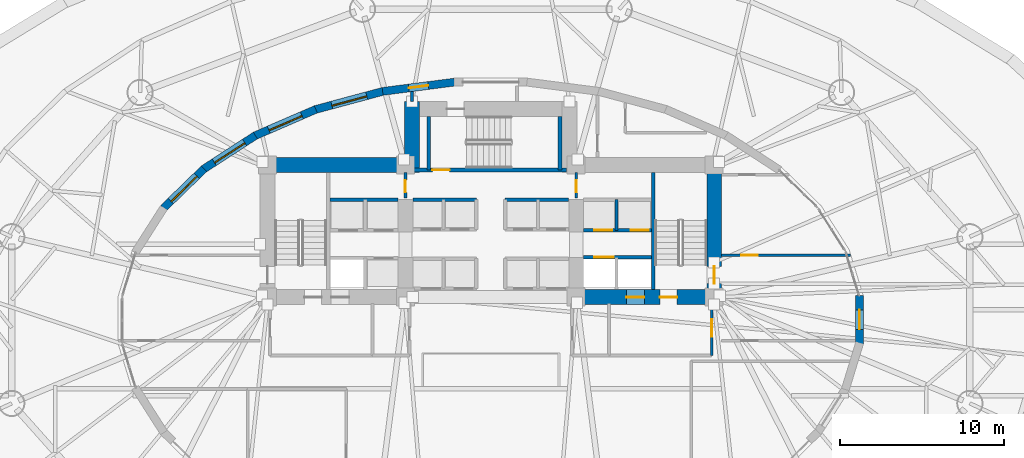
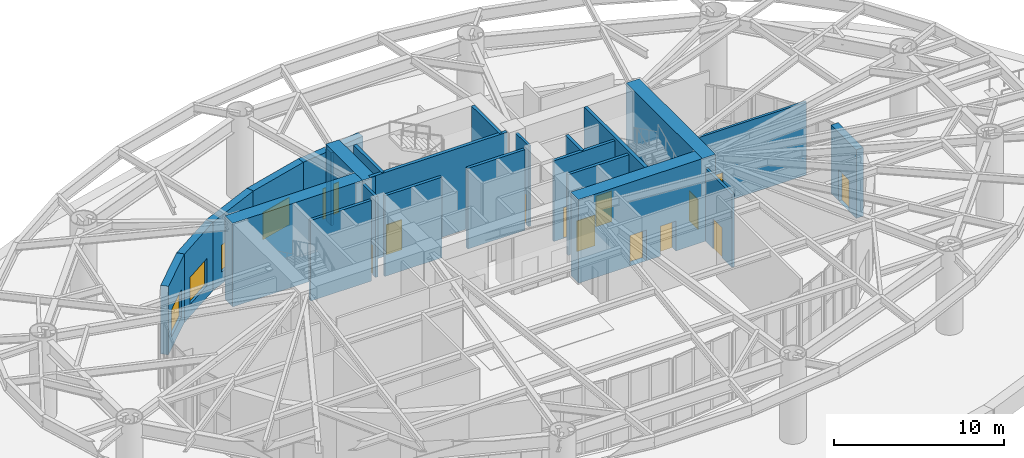
# One storey, part 15 of 21: 25 walls, 13 doors, 4 windows, 17 openings.
"""IFC4 building model written with IfcOpenShell, lengths in metres."""

from ifc_helpers import new_model, si_unit, direction, frame, frame_2d, origin, place, context, subcontext, project, spatial, rectangle, extrude, material, layer, layer_set, type_object, element, fill, save


model = new_model("IFC4")

# Units and contexts
model_context = context("Model", 3, precision=1e-05, world=origin(), true_north=direction((0.0, 1.0)))
body_context = subcontext(model_context, "Body", "Model", "MODEL_VIEW")
ifc_project = project(units=[si_unit("LENGTHUNIT", "METRE"), si_unit("AREAUNIT", "SQUARE_METRE"), si_unit("VOLUMEUNIT", "CUBIC_METRE"), si_unit("PLANEANGLEUNIT", "RADIAN"), si_unit("MASSUNIT", "GRAM", prefix="KILO")], contexts=[model_context])

# Site, building, storey
site_placement = place(None, origin())
site = spatial("IfcSite", under=ifc_project, at=site_placement, CompositionType="ELEMENT")
building_placement = place(site_placement, origin())
building = spatial("IfcBuilding", under=site, at=building_placement, Name="Keldmark Tower", CompositionType="ELEMENT")
storey_placement = place(building_placement, origin())
storey = spatial("IfcBuildingStorey", under=building, at=storey_placement, Name="L00", CompositionType="ELEMENT", Elevation=0.0)

# Wall
ifc_material_1 = material(Name="Concrete C70/85", Category="concrete")
ifc_layer_1 = layer(ifc_material_1, 0.89990234375)
ifc_layer_set_1 = layer_set([ifc_layer_1], Name="Concrete C70/85")
wall_type_1 = type_object("IfcWallType", Name="Lower Core Shear Wall 900 mm", PredefinedType="SHEAR", material=ifc_layer_set_1)
wall_1_placement = place(storey_placement, frame((-14.050048828125, 9.449951171875, 0.0), z_axis=(0.0, 0.0, 1.0), x_axis=(1.0, 0.0, 0.0)))
element("IfcWall", 1, at=wall_1_placement, inside=storey, type_object=wall_type_1, Name="L00 West Core North Shear Wall", PredefinedType="SHEAR", context=body_context, shape_type="SweptSolid", body=[
    extrude(rectangle(XDim=9.699951171875, YDim=0.89990234375, at=frame_2d((4.85009765625, 0.0))), origin(), (0.0, 0.0, 1.0), 6.0),
])

# Wall, opening, door
wall_2_placement = place(storey_placement, frame((13.60009765625, 0.949951171875, 0.0), z_axis=(0.0, 0.0, 1.0), x_axis=(0.0, 1.0, 0.0)))
wall_2 = element("IfcWall", 2, at=wall_2_placement, inside=storey, type_object=wall_type_1, Name="L00 East Core Outer Shear Wall", PredefinedType="SHEAR", context=body_context, shape_type="SweptSolid", body=[
    extrude(rectangle(XDim=8.949951171875, YDim=0.89990234375, at=frame_2d((4.47509765625, 0.0))), origin(), (0.0, 0.0, 1.0), 6.0),
])
opening_1_placement = place(wall_2_placement, frame((1.27001953125, 0.0, 0.0)))
opening_1 = element("IfcOpeningElement", 3, at=opening_1_placement, cuts=wall_2, Name="Opening D-ST105", PredefinedType="OPENING", context=body_context, shape_type="SweptSolid", body=[
    extrude(rectangle(XDim=1.050048828125, YDim=2.14990234375, at=frame_2d((0.52490234375, 1.074951171875))), frame((0.0, 0.4599609375, 0.0), z_axis=(0.0, -1.0, 0.0), x_axis=(1.0, 0.0, 0.0)), (0.0, 0.0, 1.0), 0.919921875),
])
ifc_material_2 = material(Name="Hollow Metal Fire-Rated Door Assembly", Category="metal")
door_type_1 = type_object("IfcDoorType", Name="Stair Fire Door 1050x2150", OperationType="NOTDEFINED", PredefinedType="DOOR", material=ifc_material_2)
door_1_placement = place(opening_1_placement, origin())
door_1 = element("IfcDoor", 4, at=door_1_placement, inside=storey, type_object=door_type_1, Name="L00 Stair Fire Door 1050x2150 D-ST2-EXE-L00", OperationType="SINGLE_SWING_RIGHT", OverallHeight=2.14990234375, OverallWidth=1.050048828125, PredefinedType="DOOR", context=body_context, shape_type="SweptSolid", body=[
    extrude(rectangle(XDim=1.050048828125, YDim=2.14990234375, at=frame_2d((0.52490234375, 1.074951171875))), frame((0.0, 0.02490234375, 0.0), z_axis=(0.0, -1.0, 0.0), x_axis=(1.0, 0.0, 0.0)), (0.0, 0.0, 1.0), 0.050048828125),
])
fill(opening_1, door_1)

# Wall, openings, doors
wall_3_placement = place(storey_placement, frame((14.050048828125, 1.39990234375, 0.0), z_axis=(0.0, 0.0, 1.0), x_axis=(-1.0, 0.0, 0.0)))
wall_3 = element("IfcWall", 5, at=wall_3_placement, inside=storey, type_object=wall_type_1, Name="L00 East Core South Shear Wall", PredefinedType="SHEAR", context=body_context, shape_type="SweptSolid", body=[
    extrude(rectangle(XDim=9.300048828125, YDim=0.89990234375, at=frame_2d((4.64990234375, 0.0))), origin(), (0.0, 0.0, 1.0), 6.0),
])
opening_2_placement = place(wall_3_placement, frame((2.699951171875, 0.0, 0.0)))
opening_2 = element("IfcOpeningElement", 6, at=opening_2_placement, cuts=wall_3, Name="Opening D-ST105", PredefinedType="OPENING", context=body_context, shape_type="SweptSolid", body=[
    extrude(rectangle(XDim=1.050048828125, YDim=2.14990234375, at=frame_2d((0.52490234375, 1.074951171875))), frame((0.0, 0.4599609375, 0.0), z_axis=(0.0, -1.0, 0.0), x_axis=(1.0, 0.0, 0.0)), (0.0, 0.0, 1.0), 0.919921875),
])
opening_3_placement = place(wall_3_placement, frame((4.699951171875, 0.0, 0.0)))
opening_3 = element("IfcOpeningElement", 7, at=opening_3_placement, cuts=wall_3, Name="Opening LD-110", PredefinedType="OPENING", context=body_context, shape_type="SweptSolid", body=[
    extrude(rectangle(XDim=1.10009765625, YDim=2.199951171875, at=frame_2d((0.550048828125, 1.10009765625))), frame((0.0, 0.4599609375, 0.0), z_axis=(0.0, -1.0, 0.0), x_axis=(1.0, 0.0, 0.0)), (0.0, 0.0, 1.0), 0.919921875),
])
ifc_material_3 = material(Name="Brushed Bronze Hoistway Sliding Leaf", Category="metal")
door_type_2 = type_object("IfcDoorType", Name="Lift Landing Sliding Door 1100x2200", OperationType="SLIDING_TO_LEFT", PredefinedType="DOOR", material=ifc_material_3)
door_2_placement = place(opening_3_placement, origin())
door_2 = element("IfcDoor", 8, at=door_2_placement, inside=storey, type_object=door_type_2, Name="L00 Lift Landing Sliding Door 1100x2200 LD-EL-FS2-L00", OperationType="SLIDING_TO_LEFT", OverallHeight=2.199951171875, OverallWidth=1.10009765625, PredefinedType="DOOR", context=body_context, shape_type="SweptSolid", body=[
    extrude(rectangle(XDim=1.10009765625, YDim=2.199951171875, at=frame_2d((0.550048828125, 1.10009765625))), frame((0.0, 0.02490234375, 0.0), z_axis=(0.0, -1.0, 0.0), x_axis=(1.0, 0.0, 0.0)), (0.0, 0.0, 1.0), 0.050048828125),
])
fill(opening_3, door_2)
door_3_placement = place(opening_2_placement, origin())
door_3 = element("IfcDoor", 9, at=door_3_placement, inside=storey, type_object=door_type_1, Name="L00 Stair Fire Door 1050x2150 D-ST2-L00", OperationType="SINGLE_SWING_LEFT", OverallHeight=2.14990234375, OverallWidth=1.050048828125, PredefinedType="DOOR", context=body_context, shape_type="SweptSolid", body=[
    extrude(rectangle(XDim=1.050048828125, YDim=2.14990234375, at=frame_2d((0.52490234375, 1.074951171875))), frame((0.0, 0.02490234375, 0.0), z_axis=(0.0, -1.0, 0.0), x_axis=(1.0, 0.0, 0.0)), (0.0, 0.0, 1.0), 0.050048828125),
])
fill(opening_2, door_3)

# Wall
wall_4_placement = place(storey_placement, frame((-4.800048828125, 9.0, 0.0), z_axis=(0.0, 0.0, 1.0), x_axis=(0.0, 1.0, 0.0)))
element("IfcWall", 10, at=wall_4_placement, inside=storey, type_object=wall_type_1, Name="L00 North Core West Shear Wall", PredefinedType="SHEAR", context=body_context, shape_type="SweptSolid", body=[
    extrude(rectangle(XDim=4.300048828125, YDim=0.89990234375, at=frame_2d((2.14990234375, 0.0))), origin(), (0.0, 0.0, 1.0), 6.0),
])

# Wall, opening, door
ifc_material_4 = material(Name="Ironspot Manganese Brick and Kasota Buff Limestone Cavity Assembly", Category="masonry")
ifc_layer_2 = layer(ifc_material_4, 0.47998046875)
ifc_layer_set_2 = layer_set([ifc_layer_2], Name="Ironspot Manganese Brick and Kasota Buff Limestone Cavity Assembly")
wall_type_2 = type_object("IfcWallType", Name="Podium Brick and Limestone Cavity Wall 480 mm", PredefinedType="STANDARD", material=ifc_layer_set_2)
wall_5_placement = place(storey_placement, frame((-6.587890625, 13.9248046875, 0.0), z_axis=(0.0, 0.0, 1.0), x_axis=(0.99177017627, 0.128030923847, 0.0)))
wall_5 = element("IfcWall", 11, at=wall_5_placement, inside=storey, type_object=wall_type_2, Name="L00 Wintergarden Brick Pier Wall 09", PredefinedType="STANDARD", context=body_context, shape_type="SweptSolid", body=[
    extrude(rectangle(XDim=4.420166015625, YDim=0.47998046875, at=frame_2d((2.2099609375, 0.0))), origin(), (0.0, 0.0, 1.0), 4.9130859375),
])
opening_4_placement = place(wall_5_placement, frame((1.610107421875, 0.0, 0.0)))
opening_4 = element("IfcOpeningElement", 12, at=opening_4_placement, cuts=wall_5, Name="Opening ED-03", PredefinedType="OPENING", context=body_context, shape_type="SweptSolid", body=[
    extrude(rectangle(XDim=1.199951171875, YDim=2.199951171875, at=frame_2d((0.60009765625, 1.10009765625))), frame((0.0, 0.25, 0.0), z_axis=(0.0, -1.0, 0.0), x_axis=(1.0, 0.0, 0.0)), (0.0, 0.0, 1.0), 0.5),
])
ifc_material_5 = material(Name="Thermally Broken Painted Aluminum and Laminated Safety Glass", Category="aluminium")
door_type_3 = type_object("IfcDoorType", Name="Ground Exit Discharge Door 1200x2200", OperationType="SINGLE_SWING_RIGHT", PredefinedType="DOOR", material=ifc_material_5)
door_4_placement = place(opening_4_placement, origin())
door_4 = element("IfcDoor", 13, at=door_4_placement, inside=storey, type_object=door_type_3, Name="L00 Central Stair ST3 North Exit Discharge Door", OperationType="SINGLE_SWING_RIGHT", OverallHeight=2.199951171875, OverallWidth=1.199951171875, PredefinedType="DOOR", context=body_context, shape_type="SweptSolid", body=[
    extrude(rectangle(XDim=1.199951171875, YDim=2.199951171875, at=frame_2d((0.60009765625, 1.10009765625))), frame((0.0, 0.02490234375, 0.0), z_axis=(0.0, -1.0, 0.0), x_axis=(1.0, 0.0, 0.0)), (0.0, 0.0, 1.0), 0.050048828125),
])
fill(opening_4, door_4)

# Wall, opening, window
wall_6_placement = place(storey_placement, frame((-10.685546875, 12.820556640625, 0.0), z_axis=(0.0, 0.0, 1.0), x_axis=(0.965698398437, 0.259666330619, 0.0)))
wall_6 = element("IfcWall", 14, at=wall_6_placement, inside=storey, type_object=wall_type_2, Name="L00 Wintergarden Brick Pier Wall 10", PredefinedType="STANDARD", context=body_context, shape_type="SweptSolid", body=[
    extrude(rectangle(XDim=4.276123046875, YDim=0.47998046875, at=frame_2d((2.13818359375, 0.0))), origin(), (0.0, 0.0, 1.0), 4.9130859375),
])
opening_5_placement = place(wall_6_placement, frame((1.0380859375, 0.0, 0.85009765625)))
opening_5 = element("IfcOpeningElement", 15, at=opening_5_placement, cuts=wall_6, Name="Opening W-01", PredefinedType="OPENING", context=body_context, shape_type="SweptSolid", body=[
    extrude(rectangle(XDim=2.199951171875, YDim=1.949951171875, at=frame_2d((1.10009765625, 0.97509765625))), frame((0.0, 0.25, 0.0), z_axis=(0.0, -1.0, 0.0), x_axis=(1.0, 0.0, 0.0)), (0.0, 0.0, 1.0), 0.5),
])
ifc_material_6 = material(Name="Thermally Broken Anodized Aluminum and Triple Low-E Argon Glazing", Category="aluminium")
window_type = type_object("IfcWindowType", Name="Podium Arched-Head Punched Window 2200x1950", PartitioningType="SINGLE_PANEL", PredefinedType="WINDOW", material=ifc_material_6)
window_1_placement = place(opening_5_placement, origin())
window_1 = element("IfcWindow", 16, at=window_1_placement, inside=storey, type_object=window_type, Name="L00 Wintergarden Punched Window 10", OverallHeight=1.949951171875, OverallWidth=2.199951171875, PartitioningType="SINGLE_PANEL", PredefinedType="WINDOW", context=body_context, shape_type="SweptSolid", body=[
    extrude(rectangle(XDim=2.199951171875, YDim=1.949951171875, at=frame_2d((1.10009765625, 0.97509765625))), frame((0.0, -0.010009765625, 0.0), z_axis=(0.0, -1.0, 0.0), x_axis=(1.0, 0.0, 0.0)), (0.0, 0.0, 1.0), 0.06005859375),
])
fill(opening_5, window_1)

wall_7_placement = place(storey_placement, frame((-14.36865234375, 11.220458984375, 0.0), z_axis=(0.0, 0.0, 1.0), x_axis=(0.917428047281, 0.3979017191, 0.0)))
wall_7 = element("IfcWall", 17, at=wall_7_placement, inside=storey, type_object=wall_type_2, Name="L00 Wintergarden Brick Pier Wall 11", PredefinedType="STANDARD", context=body_context, shape_type="SweptSolid", body=[
    extrude(rectangle(XDim=4.05078125, YDim=0.47998046875, at=frame_2d((2.025390625, 0.0))), origin(), (0.0, 0.0, 1.0), 4.9130859375),
])
opening_6_placement = place(wall_7_placement, frame((0.92529296875, 0.0, 0.85009765625)))
opening_6 = element("IfcOpeningElement", 18, at=opening_6_placement, cuts=wall_7, Name="Opening W-01", PredefinedType="OPENING", context=body_context, shape_type="SweptSolid", body=[
    extrude(rectangle(XDim=2.199951171875, YDim=1.949951171875, at=frame_2d((1.10009765625, 0.97509765625))), frame((0.0, 0.25, 0.0), z_axis=(0.0, -1.0, 0.0), x_axis=(1.0, 0.0, 0.0)), (0.0, 0.0, 1.0), 0.5),
])
window_2_placement = place(opening_6_placement, origin())
window_2 = element("IfcWindow", 19, at=window_2_placement, inside=storey, type_object=window_type, Name="L00 Wintergarden Punched Window 11", OverallHeight=1.949951171875, OverallWidth=2.199951171875, PartitioningType="SINGLE_PANEL", PredefinedType="WINDOW", context=body_context, shape_type="SweptSolid", body=[
    extrude(rectangle(XDim=2.199951171875, YDim=1.949951171875, at=frame_2d((1.10009765625, 0.97509765625))), frame((0.0, -0.010009765625, 0.0), z_axis=(0.0, -1.0, 0.0), x_axis=(1.0, 0.0, 0.0)), (0.0, 0.0, 1.0), 0.06005859375),
])
fill(opening_6, window_2)

wall_8_placement = place(storey_placement, frame((-17.493896484375, 9.187744140625, 0.0), z_axis=(0.0, 0.0, 1.0), x_axis=(0.838776546814, 0.544475807098, 0.0)))
wall_8 = element("IfcWall", 20, at=wall_8_placement, inside=storey, type_object=wall_type_2, Name="L00 Wintergarden Brick Pier Wall 12", PredefinedType="STANDARD", context=body_context, shape_type="SweptSolid", body=[
    extrude(rectangle(XDim=3.767822265625, YDim=0.47998046875, at=frame_2d((1.8837890625, 0.0))), origin(), (0.0, 0.0, 1.0), 4.9130859375),
])
opening_7_placement = place(wall_8_placement, frame((0.783935546875, 0.0, 0.85009765625)))
opening_7 = element("IfcOpeningElement", 21, at=opening_7_placement, cuts=wall_8, Name="Opening W-01", PredefinedType="OPENING", context=body_context, shape_type="SweptSolid", body=[
    extrude(rectangle(XDim=2.199951171875, YDim=1.949951171875, at=frame_2d((1.10009765625, 0.97509765625))), frame((0.0, 0.25, 0.0), z_axis=(0.0, -1.0, 0.0), x_axis=(1.0, 0.0, 0.0)), (0.0, 0.0, 1.0), 0.5),
])
window_3_placement = place(opening_7_placement, origin())
window_3 = element("IfcWindow", 22, at=window_3_placement, inside=storey, type_object=window_type, Name="L00 Wintergarden Punched Window 12", OverallHeight=1.949951171875, OverallWidth=2.199951171875, PartitioningType="SINGLE_PANEL", PredefinedType="WINDOW", context=body_context, shape_type="SweptSolid", body=[
    extrude(rectangle(XDim=2.199951171875, YDim=1.949951171875, at=frame_2d((1.10009765625, 0.97509765625))), frame((0.0, -0.010009765625, 0.0), z_axis=(0.0, -1.0, 0.0), x_axis=(1.0, 0.0, 0.0)), (0.0, 0.0, 1.0), 0.06005859375),
])
fill(opening_7, window_3)

wall_9_placement = place(storey_placement, frame((-19.940673828125, 6.8046875, 0.0), z_axis=(0.0, 0.0, 1.0), x_axis=(0.717293479468, 0.696771170696, 0.0)))
wall_9 = element("IfcWall", 23, at=wall_9_placement, inside=storey, type_object=wall_type_2, Name="L00 Wintergarden Brick Pier Wall 13", PredefinedType="STANDARD", context=body_context, shape_type="SweptSolid", body=[
    extrude(rectangle(XDim=3.4619140625, YDim=0.47998046875, at=frame_2d((1.73095703125, 0.0))), origin(), (0.0, 0.0, 1.0), 4.9130859375),
])
opening_8_placement = place(wall_9_placement, frame((0.631103515625, 0.0, 0.85009765625)))
opening_8 = element("IfcOpeningElement", 24, at=opening_8_placement, cuts=wall_9, Name="Opening W-01", PredefinedType="OPENING", context=body_context, shape_type="SweptSolid", body=[
    extrude(rectangle(XDim=2.199951171875, YDim=1.949951171875, at=frame_2d((1.10009765625, 0.97509765625))), frame((0.0, 0.25, 0.0), z_axis=(0.0, -1.0, 0.0), x_axis=(1.0, 0.0, 0.0)), (0.0, 0.0, 1.0), 0.5),
])
window_4_placement = place(opening_8_placement, origin())
window_4 = element("IfcWindow", 25, at=window_4_placement, inside=storey, type_object=window_type, Name="L00 Wintergarden Punched Window 13", OverallHeight=1.949951171875, OverallWidth=2.199951171875, PartitioningType="SINGLE_PANEL", PredefinedType="WINDOW", context=body_context, shape_type="SweptSolid", body=[
    extrude(rectangle(XDim=2.199951171875, YDim=1.949951171875, at=frame_2d((1.10009765625, 0.97509765625))), frame((0.0, -0.010009765625, 0.0), z_axis=(0.0, -1.0, 0.0), x_axis=(1.0, 0.0, 0.0)), (0.0, 0.0, 1.0), 0.06005859375),
])
fill(opening_8, window_4)

# Wall, opening, door
wall_10_placement = place(storey_placement, frame((22.4501953125, 1.505615234375, 0.0), z_axis=(0.0, 0.0, 1.0), x_axis=(0.0, -1.0, 0.0)))
wall_10 = element("IfcWall", 26, at=wall_10_placement, inside=storey, type_object=wall_type_2, Name="L00 Wintergarden Brick Pier Wall 32", PredefinedType="STANDARD", context=body_context, shape_type="SweptSolid", body=[
    extrude(rectangle(XDim=2.956298828125, YDim=0.47998046875, at=frame_2d((1.47802734375, 0.0))), origin(), (0.0, 0.0, 1.0), 4.9130859375),
])
opening_9_placement = place(wall_10_placement, frame((0.878173828125, 0.0, 0.0)))
opening_9 = element("IfcOpeningElement", 27, at=opening_9_placement, cuts=wall_10, Name="Opening ED-03", PredefinedType="OPENING", context=body_context, shape_type="SweptSolid", body=[
    extrude(rectangle(XDim=1.199951171875, YDim=2.199951171875, at=frame_2d((0.60009765625, 1.10009765625))), frame((0.0, 0.25, 0.0), z_axis=(0.0, -1.0, 0.0), x_axis=(1.0, 0.0, 0.0)), (0.0, 0.0, 1.0), 0.5),
])
door_5_placement = place(opening_9_placement, origin())
door_5 = element("IfcDoor", 28, at=door_5_placement, inside=storey, type_object=door_type_3, Name="L00 East Core Stair Exit Discharge Door", OperationType="SINGLE_SWING_LEFT", OverallHeight=2.199951171875, OverallWidth=1.199951171875, PredefinedType="DOOR", context=body_context, shape_type="SweptSolid", body=[
    extrude(rectangle(XDim=1.199951171875, YDim=2.199951171875, at=frame_2d((0.60009765625, 1.10009765625))), frame((0.0, 0.02490234375, 0.0), z_axis=(0.0, -1.0, 0.0), x_axis=(1.0, 0.0, 0.0)), (0.0, 0.0, 1.0), 0.050048828125),
])
fill(opening_9, door_5)

ifc_material_7 = material(Name="Type X Fire-Rated Gypsum Partition Assembly", Category="gypsum")
ifc_layer_3 = layer(ifc_material_7, 0.1650390625)
ifc_layer_set_3 = layer_set([ifc_layer_3], Name="Type X Fire-Rated Gypsum Partition Assembly")
wall_type_3 = type_object("IfcWallType", Name="Rated Partition 165 mm", PredefinedType="PARTITIONING", material=ifc_layer_set_3)
wall_11_placement = place(storey_placement, frame((13.449951171875, -2.14990234375, 0.0), z_axis=(0.0, 0.0, 1.0), x_axis=(0.0, 1.0, 0.0)))
wall_11 = element("IfcWall", 29, at=wall_11_placement, inside=storey, type_object=wall_type_3, Name="L00 Rated Partition 165 mm FSAE-E-E", PredefinedType="PARTITIONING", context=body_context, shape_type="SweptSolid", body=[
    extrude(rectangle(XDim=3.14990234375, YDim=0.1650390625, at=frame_2d((1.574951171875, 0.0))), origin(), (0.0, 0.0, 1.0), 5.23291015625),
])
opening_10_placement = place(wall_11_placement, frame((1.14990234375, 0.0, 0.0)))
opening_10 = element("IfcOpeningElement", 30, at=opening_10_placement, cuts=wall_11, Name="Opening D-FL105", PredefinedType="OPENING", context=body_context, shape_type="SweptSolid", body=[
    extrude(rectangle(XDim=1.050048828125, YDim=2.14990234375, at=frame_2d((0.52490234375, 1.074951171875))), frame((0.0, 0.092529296875, 0.0), z_axis=(0.0, -1.0, 0.0), x_axis=(1.0, 0.0, 0.0)), (0.0, 0.0, 1.0), 0.18505859375),
])
ifc_material_8 = material(Name="Fire-Rated Mineral-Core Door and Vision Lite", Category="metal")
door_type_4 = type_object("IfcDoorType", Name="Fire Lobby Door 1050x2150", OperationType="NOTDEFINED", PredefinedType="DOOR", material=ifc_material_8)
door_6_placement = place(opening_10_placement, origin())
door_6 = element("IfcDoor", 31, at=door_6_placement, inside=storey, type_object=door_type_4, Name="L00 Fire Lobby Door 1050x2150 D-FSAEE-OUT-L00", OperationType="SINGLE_SWING_LEFT", OverallHeight=2.14990234375, OverallWidth=1.050048828125, PredefinedType="DOOR", context=body_context, shape_type="SweptSolid", body=[
    extrude(rectangle(XDim=1.050048828125, YDim=2.14990234375, at=frame_2d((0.52490234375, 1.074951171875))), frame((0.0, 0.02490234375, 0.0), z_axis=(0.0, -1.0, 0.0), x_axis=(1.0, 0.0, 0.0)), (0.0, 0.0, 1.0), 0.050048828125),
])
fill(opening_10, door_6)

wall_12_placement = place(storey_placement, frame((-5.199951171875, 7.419921875, 0.0), z_axis=(0.0, 0.0, 1.0), x_axis=(0.0, 1.0, 0.0)))
wall_12 = element("IfcWall", 32, at=wall_12_placement, inside=storey, type_object=wall_type_3, Name="L00 Rated Partition 165 mm CS-NW-E", PredefinedType="PARTITIONING", context=body_context, shape_type="SweptSolid", body=[
    extrude(rectangle(XDim=1.580078125, YDim=0.1650390625, at=frame_2d((0.7900390625, 0.0))), origin(), (0.0, 0.0, 1.0), 5.780029296875),
])
opening_11_placement = place(wall_12_placement, frame((0.35009765625, 0.0, 0.0)))
opening_11 = element("IfcOpeningElement", 33, at=opening_11_placement, cuts=wall_12, Name="Opening D-RS075", PredefinedType="OPENING", context=body_context, shape_type="SweptSolid", body=[
    extrude(rectangle(XDim=0.75, YDim=2.10009765625, at=frame_2d((0.375, 1.050048828125))), frame((0.0, 0.092529296875, 0.0), z_axis=(0.0, -1.0, 0.0), x_axis=(1.0, 0.0, 0.0)), (0.0, 0.0, 1.0), 0.18505859375),
])
ifc_material_9 = material(Name="Galvanized Fire-Rated Access Leaf", Category="metal")
door_type_5 = type_object("IfcDoorType", Name="Riser Access Door 750x2100", OperationType="NOTDEFINED", PredefinedType="DOOR", material=ifc_material_9)
door_7_placement = place(opening_11_placement, origin())
door_7 = element("IfcDoor", 34, at=door_7_placement, inside=storey, type_object=door_type_5, Name="L00 Riser Access Door 750x2100 D-CSNW1-L00", OperationType="SINGLE_SWING_LEFT", OverallHeight=2.10009765625, OverallWidth=0.75, PredefinedType="DOOR", context=body_context, shape_type="SweptSolid", body=[
    extrude(rectangle(XDim=0.75, YDim=2.10009765625, at=frame_2d((0.375, 1.050048828125))), frame((0.0, 0.02490234375, 0.0), z_axis=(0.0, -1.0, 0.0), x_axis=(1.0, 0.0, 0.0)), (0.0, 0.0, 1.0), 0.050048828125),
])
fill(opening_11, door_7)

wall_13_placement = place(storey_placement, frame((5.199951171875, 7.419921875, 0.0), z_axis=(0.0, 0.0, 1.0), x_axis=(0.0, 1.0, 0.0)))
wall_13 = element("IfcWall", 35, at=wall_13_placement, inside=storey, type_object=wall_type_3, Name="L00 Rated Partition 165 mm CS-NE-W", PredefinedType="PARTITIONING", context=body_context, shape_type="SweptSolid", body=[
    extrude(rectangle(XDim=1.580078125, YDim=0.1650390625, at=frame_2d((0.7900390625, 0.0))), origin(), (0.0, 0.0, 1.0), 5.780029296875),
])
opening_12_placement = place(wall_13_placement, frame((0.35009765625, 0.0, 0.0)))
opening_12 = element("IfcOpeningElement", 36, at=opening_12_placement, cuts=wall_13, Name="Opening D-RS075", PredefinedType="OPENING", context=body_context, shape_type="SweptSolid", body=[
    extrude(rectangle(XDim=0.75, YDim=2.10009765625, at=frame_2d((0.375, 1.050048828125))), frame((0.0, 0.092529296875, 0.0), z_axis=(0.0, -1.0, 0.0), x_axis=(1.0, 0.0, 0.0)), (0.0, 0.0, 1.0), 0.18505859375),
])
door_8_placement = place(opening_12_placement, origin())
door_8 = element("IfcDoor", 37, at=door_8_placement, inside=storey, type_object=door_type_5, Name="L00 Riser Access Door 750x2100 D-CSNE1-L00", OperationType="SINGLE_SWING_LEFT", OverallHeight=2.10009765625, OverallWidth=0.75, PredefinedType="DOOR", context=body_context, shape_type="SweptSolid", body=[
    extrude(rectangle(XDim=0.75, YDim=2.10009765625, at=frame_2d((0.375, 1.050048828125))), frame((0.0, 0.02490234375, 0.0), z_axis=(0.0, -1.0, 0.0), x_axis=(1.0, 0.0, 0.0)), (0.0, 0.0, 1.0), 0.050048828125),
])
fill(opening_12, door_8)

# Wall
wall_14_placement = place(storey_placement, frame((-4.800048828125, 13.31005859375, 0.0), z_axis=(0.0, 0.0, 1.0), x_axis=(0.0, 1.0, 0.0)))
element("IfcWall", 38, at=wall_14_placement, inside=storey, type_object=wall_type_3, Name="L00 Rated Partition 165 mm EXN-W", PredefinedType="PARTITIONING", context=body_context, shape_type="SweptSolid", body=[
    extrude(rectangle(XDim=0.595458984375, YDim=0.1650390625, at=frame_2d((0.2978515625, 0.0))), origin(), (0.0, 0.0, 1.0), 5.23291015625),
])

# Wall, opening, door
wall_15_placement = place(storey_placement, frame((14.050048828125, 3.949951171875, 0.0), z_axis=(0.0, 0.0, 1.0), x_axis=(1.0, 0.0, 0.0)))
wall_15 = element("IfcWall", 39, at=wall_15_placement, inside=storey, type_object=wall_type_3, Name="L00 Rated Partition 165 mm EXE-N", PredefinedType="PARTITIONING", context=body_context, shape_type="SweptSolid", body=[
    extrude(rectangle(XDim=7.86376953125, YDim=0.1650390625, at=frame_2d((3.931884765625, 0.0))), origin(), (0.0, 0.0, 1.0), 5.23291015625),
])
opening_13_placement = place(wall_15_placement, frame((1.199951171875, 0.0, 0.0)))
opening_13 = element("IfcOpeningElement", 40, at=opening_13_placement, cuts=wall_15, Name="Opening D-FD100", PredefinedType="OPENING", context=body_context, shape_type="SweptSolid", body=[
    extrude(rectangle(XDim=1.0, YDim=2.14990234375, at=frame_2d((0.5, 1.074951171875))), frame((0.0, 0.092529296875, 0.0), z_axis=(0.0, -1.0, 0.0), x_axis=(1.0, 0.0, 0.0)), (0.0, 0.0, 1.0), 0.18505859375),
])
ifc_material_10 = material(Name="Hollow Metal Fire-Rated Corridor Door", Category="metal")
door_type_6 = type_object("IfcDoorType", Name="Fire Door 1000x2150", OperationType="NOTDEFINED", PredefinedType="DOOR", material=ifc_material_10)
door_9_placement = place(opening_13_placement, origin())
door_9 = element("IfcDoor", 41, at=door_9_placement, inside=storey, type_object=door_type_6, Name="L00 Fire Door 1000x2150 D-EXES-PASS-L00", OperationType="SINGLE_SWING_LEFT", OverallHeight=2.14990234375, OverallWidth=1.0, PredefinedType="DOOR", context=body_context, shape_type="SweptSolid", body=[
    extrude(rectangle(XDim=1.0, YDim=2.14990234375, at=frame_2d((0.5, 1.074951171875))), frame((0.0, 0.02490234375, 0.0), z_axis=(0.0, -1.0, 0.0), x_axis=(1.0, 0.0, 0.0)), (0.0, 0.0, 1.0), 0.050048828125),
])
fill(opening_13, door_9)

# Wall
ifc_material_11 = material(Name="Fire-Resistant Type X Gypsum Shaftliner Coreboard", Category="gypsum")
ifc_layer_4 = layer(ifc_material_11, 0.199951171875)
ifc_layer_set_4 = layer_set([ifc_layer_4], Name="Fire-Resistant Type X Gypsum Shaftliner Coreboard")
wall_type_4 = type_object("IfcWallType", Name="Shaft Wall 200 mm", PredefinedType="SOLIDWALL", material=ifc_layer_set_4)
wall_16_placement = place(storey_placement, frame((-9.780029296875, 7.330078125, 0.0), z_axis=(0.0, 0.0, 1.0), x_axis=(1.0, 0.0, 0.0)))
element("IfcWall", 42, at=wall_16_placement, inside=storey, type_object=wall_type_4, Name="L00 Shaft Wall 200 mm HW-W-TOP", PredefinedType="SOLIDWALL", context=body_context, shape_type="SweptSolid", body=[
    extrude(rectangle(XDim=4.130126953125, YDim=0.199951171875, at=frame_2d((2.06494140625, 0.0))), origin(), (0.0, 0.0, 1.0), 5.780029296875),
])

# Wall, opening, door
wall_17_placement = place(storey_placement, frame((5.64990234375, 3.820068359375, 0.0), z_axis=(0.0, 0.0, 1.0), x_axis=(1.0, 0.0, 0.0)))
wall_17 = element("IfcWall", 43, at=wall_17_placement, inside=storey, type_object=wall_type_4, Name="L00 Shaft Wall 200 mm HW-E-S", PredefinedType="SOLIDWALL", context=body_context, shape_type="SweptSolid", body=[
    extrude(rectangle(XDim=4.130126953125, YDim=0.199951171875, at=frame_2d((2.06494140625, 0.0))), origin(), (0.0, 0.0, 1.0), 5.780029296875),
])
opening_14_placement = place(wall_17_placement, frame((0.64990234375, 0.0, 0.0)))
opening_14 = element("IfcOpeningElement", 44, at=opening_14_placement, cuts=wall_17, Name="Opening LD-120", PredefinedType="OPENING", context=body_context, shape_type="SweptSolid", body=[
    extrude(rectangle(XDim=1.199951171875, YDim=2.199951171875, at=frame_2d((0.60009765625, 1.10009765625))), frame((0.0, 0.10986328125, 0.0), z_axis=(0.0, -1.0, 0.0), x_axis=(1.0, 0.0, 0.0)), (0.0, 0.0, 1.0), 0.219970703125),
])
ifc_material_12 = material(Name="Heavy-Duty Brushed Metal Hoistway Sliding Leaf", Category="metal")
door_type_7 = type_object("IfcDoorType", Name="Service Lift Sliding Door 1200x2200", OperationType="SLIDING_TO_RIGHT", PredefinedType="DOOR", material=ifc_material_12)
door_10_placement = place(opening_14_placement, origin())
door_10 = element("IfcDoor", 45, at=door_10_placement, inside=storey, type_object=door_type_7, Name="L00 Service Lift Sliding Door 1200x2200 LD-EL-SV1-L00", OperationType="SLIDING_TO_RIGHT", OverallHeight=2.199951171875, OverallWidth=1.199951171875, PredefinedType="DOOR", context=body_context, shape_type="SweptSolid", body=[
    extrude(rectangle(XDim=1.199951171875, YDim=2.199951171875, at=frame_2d((0.60009765625, 1.10009765625))), frame((0.0, 0.02490234375, 0.0), z_axis=(0.0, -1.0, 0.0), x_axis=(1.0, 0.0, 0.0)), (0.0, 0.0, 1.0), 0.050048828125),
])
fill(opening_14, door_10)

# Wall, openings, doors
wall_18_placement = place(storey_placement, frame((5.64990234375, 5.469970703125, 0.0), z_axis=(0.0, 0.0, 1.0), x_axis=(1.0, 0.0, 0.0)))
wall_18 = element("IfcWall", 46, at=wall_18_placement, inside=storey, type_object=wall_type_4, Name="L00 Shaft Wall 200 mm HW-E-N", PredefinedType="SOLIDWALL", context=body_context, shape_type="SweptSolid", body=[
    extrude(rectangle(XDim=4.130126953125, YDim=0.199951171875, at=frame_2d((2.06494140625, 0.0))), origin(), (0.0, 0.0, 1.0), 5.780029296875),
])
opening_15_placement = place(wall_18_placement, frame((0.64990234375, 0.0, 0.0)))
opening_15 = element("IfcOpeningElement", 47, at=opening_15_placement, cuts=wall_18, Name="Opening LD-110", PredefinedType="OPENING", context=body_context, shape_type="SweptSolid", body=[
    extrude(rectangle(XDim=1.10009765625, YDim=2.199951171875, at=frame_2d((0.550048828125, 1.10009765625))), frame((0.0, 0.10986328125, 0.0), z_axis=(0.0, -1.0, 0.0), x_axis=(1.0, 0.0, 0.0)), (0.0, 0.0, 1.0), 0.219970703125),
])
opening_16_placement = place(wall_18_placement, frame((2.8798828125, 0.0, 0.0)))
opening_16 = element("IfcOpeningElement", 48, at=opening_16_placement, cuts=wall_18, Name="Opening LD-110", PredefinedType="OPENING", context=body_context, shape_type="SweptSolid", body=[
    extrude(rectangle(XDim=1.10009765625, YDim=2.199951171875, at=frame_2d((0.550048828125, 1.10009765625))), frame((0.0, 0.10986328125, 0.0), z_axis=(0.0, -1.0, 0.0), x_axis=(1.0, 0.0, 0.0)), (0.0, 0.0, 1.0), 0.219970703125),
])
door_11_placement = place(opening_15_placement, origin())
door_11 = element("IfcDoor", 49, at=door_11_placement, inside=storey, type_object=door_type_2, Name="L00 Lift Landing Sliding Door 1100x2200 LD-EL-OB1-L00", OperationType="SLIDING_TO_LEFT", OverallHeight=2.199951171875, OverallWidth=1.10009765625, PredefinedType="DOOR", context=body_context, shape_type="SweptSolid", body=[
    extrude(rectangle(XDim=1.10009765625, YDim=2.199951171875, at=frame_2d((0.550048828125, 1.10009765625))), frame((0.0, 0.02490234375, 0.0), z_axis=(0.0, -1.0, 0.0), x_axis=(1.0, 0.0, 0.0)), (0.0, 0.0, 1.0), 0.050048828125),
])
fill(opening_15, door_11)
door_12_placement = place(opening_16_placement, origin())
door_12 = element("IfcDoor", 50, at=door_12_placement, inside=storey, type_object=door_type_2, Name="L00 Lift Landing Sliding Door 1100x2200 LD-EL-OB2-L00", OperationType="SLIDING_TO_LEFT", OverallHeight=2.199951171875, OverallWidth=1.10009765625, PredefinedType="DOOR", context=body_context, shape_type="SweptSolid", body=[
    extrude(rectangle(XDim=1.10009765625, YDim=2.199951171875, at=frame_2d((0.550048828125, 1.10009765625))), frame((0.0, 0.02490234375, 0.0), z_axis=(0.0, -1.0, 0.0), x_axis=(1.0, 0.0, 0.0)), (0.0, 0.0, 1.0), 0.050048828125),
])
fill(opening_16, door_12)

# Walls
wall_19_placement = place(storey_placement, frame((7.64990234375, 5.469970703125, 0.0), z_axis=(0.0, 0.0, 1.0), x_axis=(0.0, 1.0, 0.0)))
element("IfcWall", 51, at=wall_19_placement, inside=storey, type_object=wall_type_4, Name="L00 Shaft Wall 200 mm HW-E-NM", PredefinedType="SOLIDWALL", context=body_context, shape_type="SweptSolid", body=[
    extrude(rectangle(XDim=1.860107421875, YDim=0.199951171875, at=frame_2d((0.93017578125, 0.0))), origin(), (0.0, 0.0, 1.0), 5.780029296875),
])
for number, where, z_axis, x_axis, name in (
    (52, (-4.739990234375, 7.330078125, 0.0), (0.0, 0.0, 1.0), (1.0, 0.0, 0.0), "L00 Shaft Wall 200 mm MID-N-W"),
    (53, (0.8798828125, 7.330078125, 0.0), (0.0, 0.0, 1.0), (1.0, 0.0, 0.0), "L00 Shaft Wall 200 mm MID-N-E"),
):
    element("IfcWall", number, at=place(storey_placement, frame(where, z_axis=z_axis, x_axis=x_axis)), inside=storey, type_object=wall_type_4, Name=name, PredefinedType="SOLIDWALL", context=body_context, shape_type="SweptSolid", body=[
        extrude(rectangle(XDim=3.860107421875, YDim=0.199951171875, at=frame_2d((1.93017578125, 0.0))), origin(), (0.0, 0.0, 1.0), 5.780029296875),
    ])
ifc_material_13 = material(Name="Concrete C50/60", Category="concrete")
ifc_layer_5 = layer(ifc_material_13, 0.219970703125)
ifc_layer_set_5 = layer_set([ifc_layer_5], Name="Concrete C50/60")
wall_type_5 = type_object("IfcWallType", Name="Stair Core Shear Wall 220 mm", PredefinedType="SHEAR", material=ifc_layer_set_5)
wall_20_placement = place(storey_placement, frame((9.889892578125, 1.85009765625, 0.0), z_axis=(0.0, 0.0, 1.0), x_axis=(0.0, 1.0, 0.0)))
element("IfcWall", 54, at=wall_20_placement, inside=storey, type_object=wall_type_5, Name="L00 East Stair Core Shear Wall", PredefinedType="SHEAR", context=body_context, shape_type="SweptSolid", body=[
    extrude(rectangle(XDim=7.14990234375, YDim=0.219970703125, at=frame_2d((3.574951171875, 0.0))), origin(), (0.0, 0.0, 1.0), 6.0),
])

# Wall, opening, door
wall_21_placement = place(storey_placement, frame((-4.699951171875, 9.139892578125, 0.0), z_axis=(0.0, 0.0, 1.0), x_axis=(1.0, 0.0, 0.0)))
wall_21 = element("IfcWall", 55, at=wall_21_placement, inside=storey, type_object=wall_type_5, Name="L00 Central Stair Core South Shear Wall", PredefinedType="SHEAR", context=body_context, shape_type="SweptSolid", body=[
    extrude(rectangle(XDim=9.300048828125, YDim=0.219970703125, at=frame_2d((4.64990234375, 0.0))), origin(), (0.0, 0.0, 1.0), 6.0),
])
opening_17_placement = place(wall_21_placement, frame((1.14990234375, 0.0, 0.0)))
opening_17 = element("IfcOpeningElement", 56, at=opening_17_placement, cuts=wall_21, Name="Opening D-ST105", PredefinedType="OPENING", context=body_context, shape_type="SweptSolid", body=[
    extrude(rectangle(XDim=1.050048828125, YDim=2.14990234375, at=frame_2d((0.52490234375, 1.074951171875))), frame((0.0, 0.119873046875, 0.0), z_axis=(0.0, -1.0, 0.0), x_axis=(1.0, 0.0, 0.0)), (0.0, 0.0, 1.0), 0.239990234375),
])
door_13_placement = place(opening_17_placement, origin())
door_13 = element("IfcDoor", 57, at=door_13_placement, inside=storey, type_object=door_type_1, Name="L00 Stair Fire Door 1050x2150 D-ST3-L00", OperationType="SINGLE_SWING_RIGHT", OverallHeight=2.14990234375, OverallWidth=1.050048828125, PredefinedType="DOOR", context=body_context, shape_type="SweptSolid", body=[
    extrude(rectangle(XDim=1.050048828125, YDim=2.14990234375, at=frame_2d((0.52490234375, 1.074951171875))), frame((0.0, 0.02490234375, 0.0), z_axis=(0.0, -1.0, 0.0), x_axis=(1.0, 0.0, 0.0)), (0.0, 0.0, 1.0), 0.050048828125),
])
fill(opening_17, door_13)

# Walls
for number, where, z_axis, x_axis, name in (
    (58, (-3.784912109375, 9.139892578125, 0.0), (0.0, 0.0, 1.0), (0.0, 1.0, 0.0), "L00 Central Stair Core West Shear Wall"),
    (59, (4.215087890625, 9.139892578125, 0.0), (0.0, 0.0, 1.0), (0.0, 1.0, 0.0), "L00 Central Stair Core East Shear Wall"),
):
    element("IfcWall", number, at=place(storey_placement, frame(where, z_axis=z_axis, x_axis=x_axis)), inside=storey, type_object=wall_type_5, Name=name, PredefinedType="SHEAR", context=body_context, shape_type="SweptSolid", body=[
        extrude(rectangle(XDim=3.260009765625, YDim=0.219970703125, at=frame_2d((1.6298828125, 0.0))), origin(), (0.0, 0.0, 1.0), 6.0),
    ])

save(model, "model.ifc")
